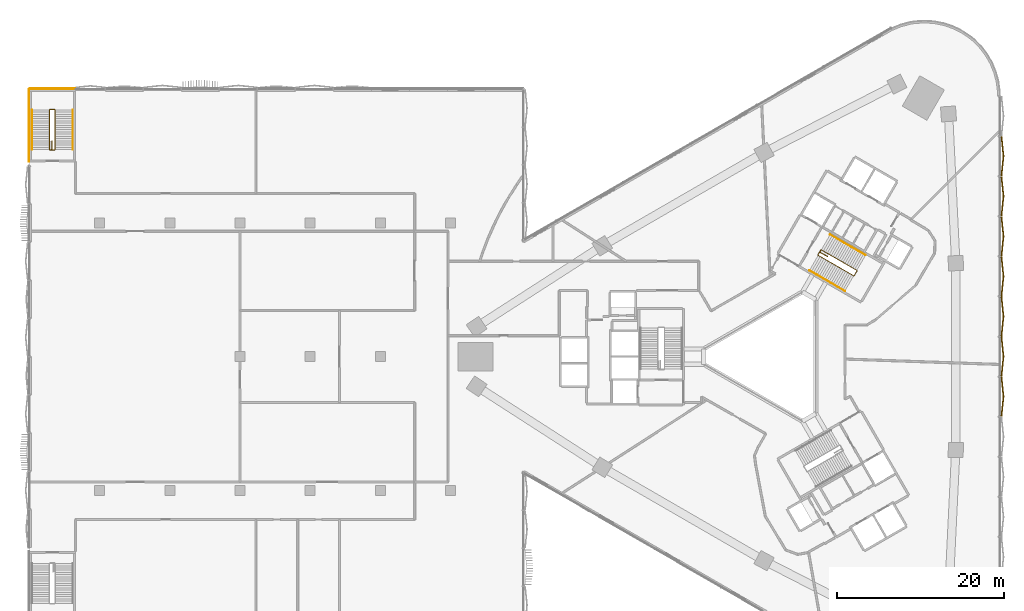
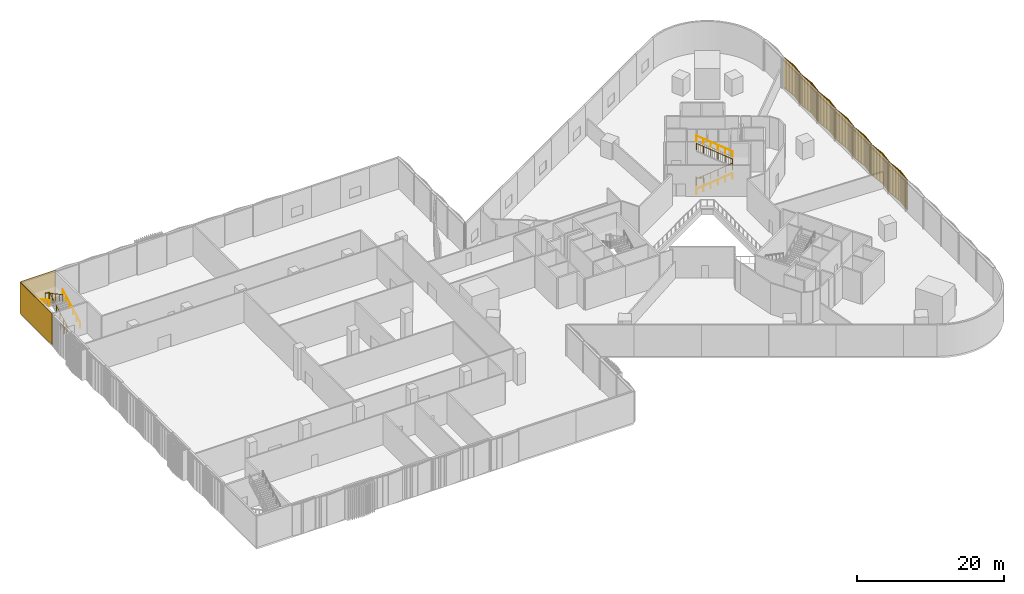
# One storey, part 28 of 31: 9 coverings, 6 railings.
"""IFC4 building model written with IfcOpenShell, lengths in metres."""

from ifc_helpers import new_model, si_unit, direction, frame, frame_2d, origin, origin_2d, place, context, subcontext, project, spatial, rectangle, circle, extrude, source, transform, mapped, material, layer, layer_set, type_object, element, save


model = new_model("IFC4")

# Units and contexts
model_context = context("Model", 3, precision=1e-05, world=origin(), true_north=direction((0.0, 1.0)))
body_context = subcontext(model_context, "Body", "Model", "MODEL_VIEW")
ifc_project = project(units=[si_unit("LENGTHUNIT", "METRE"), si_unit("AREAUNIT", "SQUARE_METRE"), si_unit("VOLUMEUNIT", "CUBIC_METRE"), si_unit("PLANEANGLEUNIT", "RADIAN"), si_unit("MASSUNIT", "GRAM", prefix="KILO")], contexts=[model_context])

# Site, building, storey
site_placement = place(None, origin())
site = spatial("IfcSite", under=ifc_project, at=site_placement, CompositionType="ELEMENT")
building_placement = place(site_placement, origin())
building = spatial("IfcBuilding", under=site, at=building_placement, Name="Tamra Quay Hotel Tower", CompositionType="ELEMENT")
storey_placement = place(building_placement, frame((0.0, 0.0, 14.0)))
storey = spatial("IfcBuildingStorey", under=building, at=storey_placement, Name="L02", CompositionType="ELEMENT", Elevation=14.0)

# Coverings
ifc_material_1 = material(Name="Precast concrete M60 terracotta-coloured pierced relief", Category="masonry")
ifc_layer = layer(ifc_material_1, 0.10009765625)
ifc_layer_set = layer_set([ifc_layer], Name="PIERCED RELIEF PANEL 100")
covering_type_1 = type_object("IfcCoveringType", Name="PIERCED RELIEF PANEL 100", PredefinedType="CLADDING", material=ifc_layer_set)
covering_1_placement = place(storey_placement, frame((-86.35009765625, 32.050048828125, 0.0), z_axis=(0.0, 0.0, 1.0), x_axis=(-1.0, 0.0, 0.0)))
element("IfcCovering", 1, at=covering_1_placement, inside=storey, type_object=covering_type_1, Name="Relief panel L02.PS1.1", PredefinedType="CLADDING", context=body_context, shape_type="SweptSolid", body=[
    extrude(rectangle(XDim=5.47998046875, YDim=0.10009765625, at=origin_2d()), origin(), (0.0, 0.0, 1.0), 5.14990234375),
])
covering_2_placement = place(storey_placement, frame((-89.14990234375, 27.64990234375, 0.0), z_axis=(0.0, 0.0, 1.0), x_axis=(0.0, -1.0, 0.0)))
element("IfcCovering", 2, at=covering_2_placement, inside=storey, type_object=covering_type_1, Name="Relief panel L02.PS1.2", PredefinedType="CLADDING", context=body_context, shape_type="SweptSolid", body=[
    extrude(rectangle(XDim=8.679931640625, YDim=0.10009765625, at=origin_2d()), origin(), (0.0, 0.0, 1.0), 5.14990234375),
])

# Railings
ifc_material_2 = material(Name="Stair guard 1100")
railing_type_1 = type_object("IfcRailingType", Name="Stair guard 1100", PredefinedType="GUARDRAIL", material=ifc_material_2)
railing_1_placement = place(storey_placement, frame((6.38232421875, 11.974853515625, 0.0)))
element("IfcRailing", 3, at=railing_1_placement, inside=storey, type_object=railing_type_1, Name="GR", PredefinedType="GUARDRAIL", context=body_context, shape_type="SweptSolid", body=[
    extrude(circle(Radius=0.02392578125, at=origin_2d()), frame((0.0, 0.0, 1.076171875), z_axis=(-0.866010750942, 0.50002537861, 0.0), x_axis=(-0.50002537861, -0.866010750942, 0.0)), (0.0, 0.0, 1.0), 1.0),
    extrude(circle(Radius=0.02392578125, at=origin_2d()), frame((-0.865966796875, 0.5, 1.076171875), z_axis=(0.274497328085, 0.961587862275, 0.0), x_axis=(-0.961587862275, 0.274497328085, 0.0)), (0.0, 0.0, 1.0), 0.2880859375),
    extrude(circle(Radius=0.02392578125, at=origin_2d()), frame((-0.786865234375, 0.777099609375, 1.076171875), z_axis=(-0.499765215335, -0.866160914346, 0.0), x_axis=(0.866160914346, -0.499765215335, 0.0)), (0.0, 0.0, 1.0), 0.658935546875),
    extrude(circle(Radius=0.02392578125, at=origin_2d()), frame((-1.1162109375, 0.206298828125, 1.076171875), z_axis=(0.113699678262, -0.422962803135, 0.898985456126), x_axis=(0.965715946433, 0.259601060869, 0.0)), (0.0, 0.0, 1.0), 0.1611328125),
    extrude(circle(Radius=0.02392578125, at=origin_2d()), frame((-1.097900390625, 0.13818359375, 1.220703125), z_axis=(0.764522017745, -0.441403942646, 0.469753811905), x_axis=(0.500005904428, 0.866021994834, 0.0)), (0.0, 0.0, 1.0), 5.5458984375),
    extrude(circle(Radius=0.02392578125, at=origin_2d()), frame((3.14208984375, -2.309814453125, 3.826171875), z_axis=(0.965948051503, 0.258736085224, 0.0), x_axis=(-0.258736085224, 0.965948051503, 0.0)), (0.0, 0.0, 1.0), 0.07080078125),
    extrude(circle(Radius=0.02392578125, at=origin_2d()), frame((3.21044921875, -2.29150390625, 3.826171875), z_axis=(0.499925626596, 0.866068339032, 0.0), x_axis=(-0.866068339032, 0.499925626596, 0.0)), (0.0, 0.0, 1.0), 0.65869140625),
    extrude(circle(Radius=0.02392578125, at=origin_2d()), frame((3.539794921875, -1.720947265625, 3.826171875), z_axis=(-0.113626712558, 0.424206393549, 0.898408540624), x_axis=(-0.965948051503, -0.258736085224, 0.0)), (0.0, 0.0, 1.0), 0.1611328125),
    extrude(circle(Radius=0.02392578125, at=origin_2d()), frame((3.521484375, -1.652587890625, 3.970703125), z_axis=(-0.764522017745, 0.441403942646, 0.469753811905), x_axis=(-0.500005904428, -0.866021994834, 0.0)), (0.0, 0.0, 1.0), 5.5458984375),
    extrude(circle(Radius=0.02099609375, at=origin_2d()), origin(), (0.0, 0.0, 1.0), 1.052001953125),
    extrude(circle(Radius=0.02099609375, at=origin_2d()), frame((-0.865966796875, 0.5, 0.0)), (0.0, 0.0, 1.0), 1.052001953125),
    extrude(circle(Radius=0.02099609375, at=origin_2d()), frame((-0.786865234375, 0.777099609375, 0.0)), (0.0, 0.0, 1.0), 1.052001953125),
    extrude(circle(Radius=0.02099609375, at=origin_2d()), frame((-1.1162109375, 0.206298828125, 0.0)), (0.0, 0.0, 1.0), 1.052001953125),
    extrude(circle(Radius=0.02099609375, at=origin_2d()), frame((-1.097900390625, 0.13818359375, 0.144775390625)), (0.0, 0.0, 1.0), 1.052001953125),
    extrude(circle(Radius=0.02099609375, at=origin_2d()), frame((-0.25, -0.351318359375, 0.665771484375)), (0.0, 0.0, 1.0), 1.052001953125),
    extrude(circle(Radius=0.02099609375, at=origin_2d()), frame((0.59814453125, -0.841064453125, 1.186767578125)), (0.0, 0.0, 1.0), 1.052001953125),
    extrude(circle(Radius=0.02099609375, at=origin_2d()), frame((1.446044921875, -1.33056640625, 1.7080078125)), (0.0, 0.0, 1.0), 1.052001953125),
    extrude(circle(Radius=0.02099609375, at=origin_2d()), frame((2.294189453125, -1.8203125, 2.22900390625)), (0.0, 0.0, 1.0), 1.052001953125),
    extrude(circle(Radius=0.02099609375, at=origin_2d()), frame((3.14208984375, -2.309814453125, 2.75)), (0.0, 0.0, 1.0), 1.052001953125),
    extrude(circle(Radius=0.02099609375, at=origin_2d()), frame((3.21044921875, -2.29150390625, 2.75)), (0.0, 0.0, 1.0), 1.052001953125),
    extrude(circle(Radius=0.02099609375, at=origin_2d()), frame((3.539794921875, -1.720947265625, 2.75)), (0.0, 0.0, 1.0), 1.052001953125),
    extrude(circle(Radius=0.02099609375, at=origin_2d()), frame((3.521484375, -1.652587890625, 2.894775390625)), (0.0, 0.0, 1.0), 1.052001953125),
    extrude(circle(Radius=0.02099609375, at=origin_2d()), frame((2.673583984375, -1.1630859375, 3.415771484375)), (0.0, 0.0, 1.0), 1.052001953125),
    extrude(circle(Radius=0.02099609375, at=origin_2d()), frame((1.825439453125, -0.67333984375, 3.936767578125)), (0.0, 0.0, 1.0), 1.052001953125),
    extrude(circle(Radius=0.02099609375, at=origin_2d()), frame((0.9775390625, -0.183837890625, 4.4580078125)), (0.0, 0.0, 1.0), 1.052001953125),
    extrude(circle(Radius=0.02099609375, at=origin_2d()), frame((0.12939453125, 0.305908203125, 4.97900390625)), (0.0, 0.0, 1.0), 1.052001953125),
    extrude(circle(Radius=0.02099609375, at=origin_2d()), frame((-0.718505859375, 0.79541015625, 5.5)), (0.0, 0.0, 1.0), 1.052001953125),
])
railing_2_placement = place(storey_placement, frame((-86.39990234375, 25.7900390625, 0.0)))
element("IfcRailing", 4, at=railing_2_placement, inside=storey, type_object=railing_type_1, Name="GR", PredefinedType="GUARDRAIL", context=body_context, shape_type="SweptSolid", body=[
    extrude(circle(Radius=0.02392578125, at=origin_2d()), frame((0.0, 0.0, 1.076171875), z_axis=(0.0, -1.0, 0.0), x_axis=(1.0, 0.0, 0.0)), (0.0, 0.0, 1.0), 1.0),
    extrude(circle(Radius=0.02392578125, at=origin_2d()), frame((0.0, -1.0, 1.076171875), z_axis=(-0.956587750704, -0.291444463325, 0.0), x_axis=(0.291444463325, -0.956587750704, 0.0)), (0.0, 0.0, 1.0), 0.240478515625),
    extrude(circle(Radius=0.02392578125, at=origin_2d()), frame((-0.22998046875, -1.070068359375, 1.076171875), z_axis=(1.0, 0.0, 0.0), x_axis=(0.0, 1.0, 0.0)), (0.0, 0.0, 1.0), 0.559814453125),
    extrude(circle(Radius=0.02392578125, at=origin_2d()), frame((0.329833984375, -1.070068359375, 1.076171875), z_axis=(0.310570770478, 0.310570770478, 0.898382765334), x_axis=(-0.707106781187, 0.707106781187, 0.0)), (0.0, 0.0, 1.0), 0.1611328125),
    extrude(circle(Radius=0.02392578125, at=origin_2d()), frame((0.3798828125, -1.02001953125, 1.220703125), z_axis=(0.0, 0.876865707204, 0.480735406986), x_axis=(-1.0, 0.0, 0.0)), (0.0, 0.0, 1.0), 5.419189453125),
    extrude(circle(Radius=0.02392578125, at=origin_2d()), frame((0.3798828125, 3.73193359375, 3.826171875), z_axis=(-0.707106781187, 0.707106781187, 0.0), x_axis=(-0.707106781187, -0.707106781187, 0.0)), (0.0, 0.0, 1.0), 0.07080078125),
    extrude(circle(Radius=0.02392578125, at=origin_2d()), frame((0.329833984375, 3.781982421875, 3.826171875), z_axis=(-1.0, 0.0, 0.0), x_axis=(0.0, -1.0, 0.0)), (0.0, 0.0, 1.0), 0.559814453125),
    extrude(circle(Radius=0.02392578125, at=origin_2d()), frame((-0.22998046875, 3.781982421875, 3.826171875), z_axis=(-0.310570770478, -0.310570770478, 0.898382765334), x_axis=(0.707106781187, -0.707106781187, 0.0)), (0.0, 0.0, 1.0), 0.1611328125),
    extrude(circle(Radius=0.02392578125, at=origin_2d()), frame((-0.280029296875, 3.73193359375, 3.970703125), z_axis=(0.0, -0.876865707204, 0.480735406986), x_axis=(1.0, 0.0, 0.0)), (0.0, 0.0, 1.0), 5.419189453125),
    extrude(circle(Radius=0.02099609375, at=origin_2d()), origin(), (0.0, 0.0, 1.0), 1.052001953125),
    extrude(circle(Radius=0.02099609375, at=origin_2d()), frame((0.0, -1.0, 0.0)), (0.0, 0.0, 1.0), 1.052001953125),
    extrude(circle(Radius=0.02099609375, at=origin_2d()), frame((-0.22998046875, -1.070068359375, 0.0)), (0.0, 0.0, 1.0), 1.052001953125),
    extrude(circle(Radius=0.02099609375, at=origin_2d()), frame((0.329833984375, -1.070068359375, 0.0)), (0.0, 0.0, 1.0), 1.052001953125),
    extrude(circle(Radius=0.02099609375, at=origin_2d()), frame((0.3798828125, -1.02001953125, 0.144775390625)), (0.0, 0.0, 1.0), 1.052001953125),
    extrude(circle(Radius=0.02099609375, at=origin_2d()), frame((0.3798828125, -0.069580078125, 0.665771484375)), (0.0, 0.0, 1.0), 1.052001953125),
    extrude(circle(Radius=0.02099609375, at=origin_2d()), frame((0.3798828125, 0.880859375, 1.186767578125)), (0.0, 0.0, 1.0), 1.052001953125),
    extrude(circle(Radius=0.02099609375, at=origin_2d()), frame((0.3798828125, 1.8310546875, 1.7080078125)), (0.0, 0.0, 1.0), 1.052001953125),
    extrude(circle(Radius=0.02099609375, at=origin_2d()), frame((0.3798828125, 2.781494140625, 2.22900390625)), (0.0, 0.0, 1.0), 1.052001953125),
    extrude(circle(Radius=0.02099609375, at=origin_2d()), frame((0.3798828125, 3.73193359375, 2.75)), (0.0, 0.0, 1.0), 1.052001953125),
    extrude(circle(Radius=0.02099609375, at=origin_2d()), frame((0.329833984375, 3.781982421875, 2.75)), (0.0, 0.0, 1.0), 1.052001953125),
    extrude(circle(Radius=0.02099609375, at=origin_2d()), frame((-0.22998046875, 3.781982421875, 2.75)), (0.0, 0.0, 1.0), 1.052001953125),
    extrude(circle(Radius=0.02099609375, at=origin_2d()), frame((-0.280029296875, 3.73193359375, 2.894775390625)), (0.0, 0.0, 1.0), 1.052001953125),
    extrude(circle(Radius=0.02099609375, at=origin_2d()), frame((-0.280029296875, 2.781494140625, 3.415771484375)), (0.0, 0.0, 1.0), 1.052001953125),
    extrude(circle(Radius=0.02099609375, at=origin_2d()), frame((-0.280029296875, 1.8310546875, 3.936767578125)), (0.0, 0.0, 1.0), 1.052001953125),
    extrude(circle(Radius=0.02099609375, at=origin_2d()), frame((-0.280029296875, 0.880859375, 4.4580078125)), (0.0, 0.0, 1.0), 1.052001953125),
    extrude(circle(Radius=0.02099609375, at=origin_2d()), frame((-0.280029296875, -0.069580078125, 4.97900390625)), (0.0, 0.0, 1.0), 1.052001953125),
    extrude(circle(Radius=0.02099609375, at=origin_2d()), frame((-0.280029296875, -1.02001953125, 5.5)), (0.0, 0.0, 1.0), 1.052001953125),
])
ifc_material_3 = material(Name="Stair handrail 900")
railing_type_2 = type_object("IfcRailingType", Name="Stair handrail 900", PredefinedType="HANDRAIL", material=ifc_material_3)
railing_3_placement = place(storey_placement, frame((4.234375, 10.294189453125, 0.144775390625)))
element("IfcRailing", 5, at=railing_3_placement, inside=storey, type_object=railing_type_2, Name="HR", PredefinedType="HANDRAIL", context=body_context, shape_type="SweptSolid", body=[
    extrude(circle(Radius=0.02392578125, at=origin_2d()), frame((0.0, 0.0, 0.8759765625), z_axis=(0.764522017745, -0.441403942646, 0.469753811905), x_axis=(0.500005904428, 0.866021994834, 0.0)), (0.0, 0.0, 1.0), 5.5458984375),
    extrude(circle(Radius=0.02099609375, at=origin_2d()), origin(), (0.0, 0.0, 1.0), 0.851806640625),
    extrude(circle(Radius=0.02099609375, at=origin_2d()), frame((0.847900390625, -0.489501953125, 0.52099609375)), (0.0, 0.0, 1.0), 0.851806640625),
    extrude(circle(Radius=0.02099609375, at=origin_2d()), frame((1.696044921875, -0.979248046875, 1.0419921875)), (0.0, 0.0, 1.0), 0.851806640625),
    extrude(circle(Radius=0.02099609375, at=origin_2d()), frame((2.5439453125, -1.46875, 1.563232421875)), (0.0, 0.0, 1.0), 0.851806640625),
    extrude(circle(Radius=0.02099609375, at=origin_2d()), frame((3.39208984375, -1.95849609375, 2.084228515625)), (0.0, 0.0, 1.0), 0.851806640625),
    extrude(circle(Radius=0.02099609375, at=origin_2d()), frame((4.239990234375, -2.447998046875, 2.605224609375)), (0.0, 0.0, 1.0), 0.851806640625),
])
railing_4_placement = place(storey_placement, frame((10.953857421875, 12.140869140625, 2.894775390625)))
element("IfcRailing", 6, at=railing_4_placement, inside=storey, type_object=railing_type_2, Name="HR", PredefinedType="HANDRAIL", context=body_context, shape_type="SweptSolid", body=[
    extrude(circle(Radius=0.02392578125, at=origin_2d()), frame((0.0, 0.0, 0.8759765625), z_axis=(-0.764522017745, 0.441403942646, 0.469753811905), x_axis=(-0.500005904428, -0.866021994834, 0.0)), (0.0, 0.0, 1.0), 5.5458984375),
    extrude(circle(Radius=0.02099609375, at=origin_2d()), origin(), (0.0, 0.0, 1.0), 0.851806640625),
    extrude(circle(Radius=0.02099609375, at=origin_2d()), frame((-0.847900390625, 0.489501953125, 0.52099609375)), (0.0, 0.0, 1.0), 0.851806640625),
    extrude(circle(Radius=0.02099609375, at=origin_2d()), frame((-1.696044921875, 0.979248046875, 1.0419921875)), (0.0, 0.0, 1.0), 0.851806640625),
    extrude(circle(Radius=0.02099609375, at=origin_2d()), frame((-2.5439453125, 1.46875, 1.563232421875)), (0.0, 0.0, 1.0), 0.851806640625),
    extrude(circle(Radius=0.02099609375, at=origin_2d()), frame((-3.39208984375, 1.95849609375, 2.084228515625)), (0.0, 0.0, 1.0), 0.851806640625),
    extrude(circle(Radius=0.02099609375, at=origin_2d()), frame((-4.239990234375, 2.447998046875, 2.605224609375)), (0.0, 0.0, 1.0), 0.851806640625),
])
railing_5_placement = place(storey_placement, frame((-83.919921875, 24.77001953125, 0.144775390625)))
element("IfcRailing", 7, at=railing_5_placement, inside=storey, type_object=railing_type_2, Name="HR", PredefinedType="HANDRAIL", context=body_context, shape_type="SweptSolid", body=[
    extrude(circle(Radius=0.02392578125, at=origin_2d()), frame((0.0, 0.0, 0.8759765625), z_axis=(0.0, 0.876865707204, 0.480735406986), x_axis=(-1.0, 0.0, 0.0)), (0.0, 0.0, 1.0), 5.419189453125),
    extrude(circle(Radius=0.02099609375, at=origin_2d()), origin(), (0.0, 0.0, 1.0), 0.851806640625),
    extrude(circle(Radius=0.02099609375, at=origin_2d()), frame((0.0, 0.950439453125, 0.52099609375)), (0.0, 0.0, 1.0), 0.851806640625),
    extrude(circle(Radius=0.02099609375, at=origin_2d()), frame((0.0, 1.90087890625, 1.0419921875)), (0.0, 0.0, 1.0), 0.851806640625),
    extrude(circle(Radius=0.02099609375, at=origin_2d()), frame((0.0, 2.85107421875, 1.563232421875)), (0.0, 0.0, 1.0), 0.851806640625),
    extrude(circle(Radius=0.02099609375, at=origin_2d()), frame((0.0, 3.801513671875, 2.084228515625)), (0.0, 0.0, 1.0), 0.851806640625),
    extrude(circle(Radius=0.02099609375, at=origin_2d()), frame((0.0, 4.751953125, 2.605224609375)), (0.0, 0.0, 1.0), 0.851806640625),
])
railing_6_placement = place(storey_placement, frame((-88.780029296875, 29.52197265625, 2.894775390625)))
element("IfcRailing", 8, at=railing_6_placement, inside=storey, type_object=railing_type_2, Name="HR", PredefinedType="HANDRAIL", context=body_context, shape_type="SweptSolid", body=[
    extrude(circle(Radius=0.02392578125, at=origin_2d()), frame((0.0, 0.0, 0.8759765625), z_axis=(0.0, -0.876865707204, 0.480735406986), x_axis=(1.0, 0.0, 0.0)), (0.0, 0.0, 1.0), 5.419189453125),
    extrude(circle(Radius=0.02099609375, at=origin_2d()), origin(), (0.0, 0.0, 1.0), 0.851806640625),
    extrude(circle(Radius=0.02099609375, at=origin_2d()), frame((0.0, -0.950439453125, 0.52099609375)), (0.0, 0.0, 1.0), 0.851806640625),
    extrude(circle(Radius=0.02099609375, at=origin_2d()), frame((0.0, -1.90087890625, 1.0419921875)), (0.0, 0.0, 1.0), 0.851806640625),
    extrude(circle(Radius=0.02099609375, at=origin_2d()), frame((0.0, -2.85107421875, 1.563232421875)), (0.0, 0.0, 1.0), 0.851806640625),
    extrude(circle(Radius=0.02099609375, at=origin_2d()), frame((0.0, -3.801513671875, 2.084228515625)), (0.0, 0.0, 1.0), 0.851806640625),
    extrude(circle(Radius=0.02099609375, at=origin_2d()), frame((0.0, -4.751953125, 2.605224609375)), (0.0, 0.0, 1.0), 0.851806640625),
])

# Coverings
ifc_material_4 = material(Name="Terracotta baguette extruded", Category="masonry")
covering_type_2 = type_object("IfcCoveringType", Name="BAGUETTE SCREEN PODIUM-SHALLOW H5150", PredefinedType="USERDEFINED", material=ifc_material_4)
shared_shape = source(origin(), body_context, "Body", "SweptSolid", [
    extrude(rectangle(XDim=2.365478515625, YDim=0.06005859375, at=frame_2d((1.1826171875, 0.030029296875))), frame((-2.35888671875, -0.0576171875, -0.1201171875), z_axis=(0.0, 0.0, 1.0), x_axis=(0.994521895368, -0.104528463268, 0.0)), (0.0, 0.0, 1.0), 0.1201171875),
    extrude(rectangle(XDim=2.365478515625, YDim=0.06005859375, at=frame_2d((1.1826171875, 0.030029296875))), frame((-2.35888671875, -0.0576171875, -5.14990234375), z_axis=(0.0, 0.0, 1.0), x_axis=(0.994521895368, -0.104528463268, 0.0)), (0.0, 0.0, 1.0), 0.1201171875),
    extrude(rectangle(XDim=0.094970703125, YDim=0.10009765625, at=frame_2d((0.04736328125, 0.050048828125))), frame((-2.35107421875, -0.133056640625, -5.090087890625)), (0.0, 0.0, 1.0), 5.030029296875),
    extrude(rectangle(XDim=0.094970703125, YDim=0.10009765625, at=frame_2d((0.04736328125, 0.050048828125))), frame((-2.2529296875, -0.1435546875, -5.090087890625)), (0.0, 0.0, 1.0), 5.030029296875),
    extrude(rectangle(XDim=0.094970703125, YDim=0.10009765625, at=frame_2d((0.04736328125, 0.050048828125))), frame((-2.155029296875, -0.15380859375, -5.090087890625)), (0.0, 0.0, 1.0), 5.030029296875),
    extrude(rectangle(XDim=0.094970703125, YDim=0.10009765625, at=frame_2d((0.04736328125, 0.050048828125))), frame((-2.056884765625, -0.1640625, -5.090087890625)), (0.0, 0.0, 1.0), 5.030029296875),
    extrude(rectangle(XDim=0.094970703125, YDim=0.10009765625, at=frame_2d((0.04736328125, 0.050048828125))), frame((-1.958984375, -0.17431640625, -5.090087890625)), (0.0, 0.0, 1.0), 5.030029296875),
    extrude(rectangle(XDim=0.094970703125, YDim=0.10009765625, at=frame_2d((0.04736328125, 0.050048828125))), frame((-1.86083984375, -0.1845703125, -5.090087890625)), (0.0, 0.0, 1.0), 5.030029296875),
    extrude(rectangle(XDim=0.094970703125, YDim=0.10009765625, at=frame_2d((0.04736328125, 0.050048828125))), frame((-1.762939453125, -0.195068359375, -5.090087890625)), (0.0, 0.0, 1.0), 5.030029296875),
    extrude(rectangle(XDim=0.094970703125, YDim=0.10009765625, at=frame_2d((0.04736328125, 0.050048828125))), frame((-1.664794921875, -0.205322265625, -5.090087890625)), (0.0, 0.0, 1.0), 5.030029296875),
    extrude(rectangle(XDim=0.094970703125, YDim=0.10009765625, at=frame_2d((0.04736328125, 0.050048828125))), frame((-1.56689453125, -0.215576171875, -5.090087890625)), (0.0, 0.0, 1.0), 5.030029296875),
    extrude(rectangle(XDim=0.094970703125, YDim=0.10009765625, at=frame_2d((0.04736328125, 0.050048828125))), frame((-1.46875, -0.225830078125, -5.090087890625)), (0.0, 0.0, 1.0), 5.030029296875),
    extrude(rectangle(XDim=0.094970703125, YDim=0.10009765625, at=frame_2d((0.04736328125, 0.050048828125))), frame((-1.370849609375, -0.236083984375, -5.090087890625)), (0.0, 0.0, 1.0), 5.030029296875),
    extrude(rectangle(XDim=0.094970703125, YDim=0.10009765625, at=frame_2d((0.04736328125, 0.050048828125))), frame((-1.272705078125, -0.24658203125, -5.090087890625)), (0.0, 0.0, 1.0), 5.030029296875),
    extrude(rectangle(XDim=0.094970703125, YDim=0.10009765625, at=frame_2d((0.04736328125, 0.050048828125))), frame((-1.1748046875, -0.2568359375, -5.090087890625)), (0.0, 0.0, 1.0), 5.030029296875),
    extrude(rectangle(XDim=0.094970703125, YDim=0.10009765625, at=frame_2d((0.04736328125, 0.050048828125))), frame((-1.07666015625, -0.26708984375, -5.090087890625)), (0.0, 0.0, 1.0), 5.030029296875),
    extrude(rectangle(XDim=0.094970703125, YDim=0.10009765625, at=frame_2d((0.04736328125, 0.050048828125))), frame((-0.978759765625, -0.27734375, -5.090087890625)), (0.0, 0.0, 1.0), 5.030029296875),
    extrude(rectangle(XDim=0.094970703125, YDim=0.10009765625, at=frame_2d((0.04736328125, 0.050048828125))), frame((-0.880615234375, -0.28759765625, -5.090087890625)), (0.0, 0.0, 1.0), 5.030029296875),
    extrude(rectangle(XDim=0.094970703125, YDim=0.10009765625, at=frame_2d((0.04736328125, 0.050048828125))), frame((-0.78271484375, -0.298095703125, -5.090087890625)), (0.0, 0.0, 1.0), 5.030029296875),
    extrude(rectangle(XDim=0.094970703125, YDim=0.10009765625, at=frame_2d((0.04736328125, 0.050048828125))), frame((-0.6845703125, -0.308349609375, -5.090087890625)), (0.0, 0.0, 1.0), 5.030029296875),
    extrude(rectangle(XDim=0.094970703125, YDim=0.10009765625, at=frame_2d((0.04736328125, 0.050048828125))), frame((-0.586669921875, -0.318603515625, -5.090087890625)), (0.0, 0.0, 1.0), 5.030029296875),
    extrude(rectangle(XDim=0.094970703125, YDim=0.10009765625, at=frame_2d((0.04736328125, 0.050048828125))), frame((-0.488525390625, -0.328857421875, -5.090087890625)), (0.0, 0.0, 1.0), 5.030029296875),
    extrude(rectangle(XDim=0.094970703125, YDim=0.10009765625, at=frame_2d((0.04736328125, 0.050048828125))), frame((-0.390625, -0.339111328125, -5.090087890625)), (0.0, 0.0, 1.0), 5.030029296875),
    extrude(rectangle(XDim=0.094970703125, YDim=0.10009765625, at=frame_2d((0.04736328125, 0.050048828125))), frame((-0.29248046875, -0.349609375, -5.090087890625)), (0.0, 0.0, 1.0), 5.030029296875),
    extrude(rectangle(XDim=0.094970703125, YDim=0.10009765625, at=frame_2d((0.04736328125, 0.050048828125))), frame((-0.194580078125, -0.35986328125, -5.090087890625)), (0.0, 0.0, 1.0), 5.030029296875),
    extrude(rectangle(XDim=0.094970703125, YDim=0.10009765625, at=frame_2d((0.04736328125, 0.050048828125))), frame((-0.096435546875, -0.3701171875, -5.090087890625)), (0.0, 0.0, 1.0), 5.030029296875),
    extrude(rectangle(XDim=2.365478515625, YDim=0.06005859375, at=frame_2d((1.1826171875, 0.030029296875))), frame((0.00634765625, -0.304931640625, -0.1201171875), z_axis=(0.0, 0.0, 1.0), x_axis=(0.994521895368, 0.104528463268, 0.0)), (0.0, 0.0, 1.0), 0.1201171875),
    extrude(rectangle(XDim=2.365478515625, YDim=0.06005859375, at=frame_2d((1.1826171875, 0.030029296875))), frame((0.00634765625, -0.304931640625, -5.14990234375), z_axis=(0.0, 0.0, 1.0), x_axis=(0.994521895368, 0.104528463268, 0.0)), (0.0, 0.0, 1.0), 0.1201171875),
    extrude(rectangle(XDim=0.094970703125, YDim=0.10009765625, at=frame_2d((0.04736328125, 0.050048828125))), frame((0.00146484375, -0.3701171875, -5.090087890625)), (0.0, 0.0, 1.0), 5.030029296875),
    extrude(rectangle(XDim=0.094970703125, YDim=0.10009765625, at=frame_2d((0.04736328125, 0.050048828125))), frame((0.099609375, -0.35986328125, -5.090087890625)), (0.0, 0.0, 1.0), 5.030029296875),
    extrude(rectangle(XDim=0.094970703125, YDim=0.10009765625, at=frame_2d((0.04736328125, 0.050048828125))), frame((0.197509765625, -0.349609375, -5.090087890625)), (0.0, 0.0, 1.0), 5.030029296875),
    extrude(rectangle(XDim=0.094970703125, YDim=0.10009765625, at=frame_2d((0.04736328125, 0.050048828125))), frame((0.295654296875, -0.339111328125, -5.090087890625)), (0.0, 0.0, 1.0), 5.030029296875),
    extrude(rectangle(XDim=0.094970703125, YDim=0.10009765625, at=frame_2d((0.04736328125, 0.050048828125))), frame((0.3935546875, -0.328857421875, -5.090087890625)), (0.0, 0.0, 1.0), 5.030029296875),
    extrude(rectangle(XDim=0.094970703125, YDim=0.10009765625, at=frame_2d((0.04736328125, 0.050048828125))), frame((0.49169921875, -0.318603515625, -5.090087890625)), (0.0, 0.0, 1.0), 5.030029296875),
    extrude(rectangle(XDim=0.094970703125, YDim=0.10009765625, at=frame_2d((0.04736328125, 0.050048828125))), frame((0.589599609375, -0.308349609375, -5.090087890625)), (0.0, 0.0, 1.0), 5.030029296875),
    extrude(rectangle(XDim=0.094970703125, YDim=0.10009765625, at=frame_2d((0.04736328125, 0.050048828125))), frame((0.687744140625, -0.298095703125, -5.090087890625)), (0.0, 0.0, 1.0), 5.030029296875),
    extrude(rectangle(XDim=0.094970703125, YDim=0.10009765625, at=frame_2d((0.04736328125, 0.050048828125))), frame((0.78564453125, -0.28759765625, -5.090087890625)), (0.0, 0.0, 1.0), 5.030029296875),
    extrude(rectangle(XDim=0.094970703125, YDim=0.10009765625, at=frame_2d((0.04736328125, 0.050048828125))), frame((0.8837890625, -0.27734375, -5.090087890625)), (0.0, 0.0, 1.0), 5.030029296875),
    extrude(rectangle(XDim=0.094970703125, YDim=0.10009765625, at=frame_2d((0.04736328125, 0.050048828125))), frame((0.981689453125, -0.26708984375, -5.090087890625)), (0.0, 0.0, 1.0), 5.030029296875),
    extrude(rectangle(XDim=0.094970703125, YDim=0.10009765625, at=frame_2d((0.04736328125, 0.050048828125))), frame((1.079833984375, -0.2568359375, -5.090087890625)), (0.0, 0.0, 1.0), 5.030029296875),
    extrude(rectangle(XDim=0.094970703125, YDim=0.10009765625, at=frame_2d((0.04736328125, 0.050048828125))), frame((1.177734375, -0.24658203125, -5.090087890625)), (0.0, 0.0, 1.0), 5.030029296875),
    extrude(rectangle(XDim=0.094970703125, YDim=0.10009765625, at=frame_2d((0.04736328125, 0.050048828125))), frame((1.27587890625, -0.236083984375, -5.090087890625)), (0.0, 0.0, 1.0), 5.030029296875),
    extrude(rectangle(XDim=0.094970703125, YDim=0.10009765625, at=frame_2d((0.04736328125, 0.050048828125))), frame((1.373779296875, -0.225830078125, -5.090087890625)), (0.0, 0.0, 1.0), 5.030029296875),
    extrude(rectangle(XDim=0.094970703125, YDim=0.10009765625, at=frame_2d((0.04736328125, 0.050048828125))), frame((1.471923828125, -0.215576171875, -5.090087890625)), (0.0, 0.0, 1.0), 5.030029296875),
    extrude(rectangle(XDim=0.094970703125, YDim=0.10009765625, at=frame_2d((0.04736328125, 0.050048828125))), frame((1.56982421875, -0.205322265625, -5.090087890625)), (0.0, 0.0, 1.0), 5.030029296875),
    extrude(rectangle(XDim=0.094970703125, YDim=0.10009765625, at=frame_2d((0.04736328125, 0.050048828125))), frame((1.66796875, -0.195068359375, -5.090087890625)), (0.0, 0.0, 1.0), 5.030029296875),
    extrude(rectangle(XDim=0.094970703125, YDim=0.10009765625, at=frame_2d((0.04736328125, 0.050048828125))), frame((1.765869140625, -0.1845703125, -5.090087890625)), (0.0, 0.0, 1.0), 5.030029296875),
    extrude(rectangle(XDim=0.094970703125, YDim=0.10009765625, at=frame_2d((0.04736328125, 0.050048828125))), frame((1.864013671875, -0.17431640625, -5.090087890625)), (0.0, 0.0, 1.0), 5.030029296875),
    extrude(rectangle(XDim=0.094970703125, YDim=0.10009765625, at=frame_2d((0.04736328125, 0.050048828125))), frame((1.9619140625, -0.1640625, -5.090087890625)), (0.0, 0.0, 1.0), 5.030029296875),
    extrude(rectangle(XDim=0.094970703125, YDim=0.10009765625, at=frame_2d((0.04736328125, 0.050048828125))), frame((2.06005859375, -0.15380859375, -5.090087890625)), (0.0, 0.0, 1.0), 5.030029296875),
    extrude(rectangle(XDim=0.094970703125, YDim=0.10009765625, at=frame_2d((0.04736328125, 0.050048828125))), frame((2.157958984375, -0.1435546875, -5.090087890625)), (0.0, 0.0, 1.0), 5.030029296875),
    extrude(rectangle(XDim=0.094970703125, YDim=0.10009765625, at=frame_2d((0.04736328125, 0.050048828125))), frame((2.256103515625, -0.133056640625, -5.090087890625)), (0.0, 0.0, 1.0), 5.030029296875),
])
for number, where, z_axis, x_axis, name in (
    (9, (27.14794921875, -4.79638671875, 5.14990234375), (0.0, 0.0, 1.0), (0.0, 1.0, 0.0), "Baguette screen L02.E.f09"),
    (10, (27.14794921875, 0.0, 5.14990234375), (0.0, 0.0, 1.0), (0.0, 1.0, 0.0), "Baguette screen L02.E.f10"),
    (11, (27.14794921875, 4.79638671875, 5.14990234375), (0.0, 0.0, 1.0), (0.0, 1.0, 0.0), "Baguette screen L02.E.f11"),
    (12, (27.14794921875, 9.593017578125, 5.14990234375), (0.0, 0.0, 1.0), (0.0, 1.0, 0.0), "Baguette screen L02.E.f12"),
    (13, (27.14794921875, 14.389404296875, 5.14990234375), (0.0, 0.0, 1.0), (0.0, 1.0, 0.0), "Baguette screen L02.E.f13"),
    (14, (27.14794921875, 19.185791015625, 5.14990234375), (0.0, 0.0, 1.0), (0.0, 1.0, 0.0), "Baguette screen L02.E.f14"),
    (15, (27.14794921875, 23.982177734375, 5.14990234375), (0.0, 0.0, 1.0), (0.0, 1.0, 0.0), "Baguette screen L02.E.f15"),
):
    element("IfcCovering", number, at=place(storey_placement, frame(where, z_axis=z_axis, x_axis=x_axis)), inside=storey, type_object=covering_type_2, Name=name, ObjectType="BAGUETTE SCREEN", PredefinedType="USERDEFINED", context=body_context, shape_type="MappedRepresentation", body=[
        mapped(shared_shape, transform((0.0, 0.0, 0.0), scale=1.0)),
    ])

save(model, "model.ifc")
